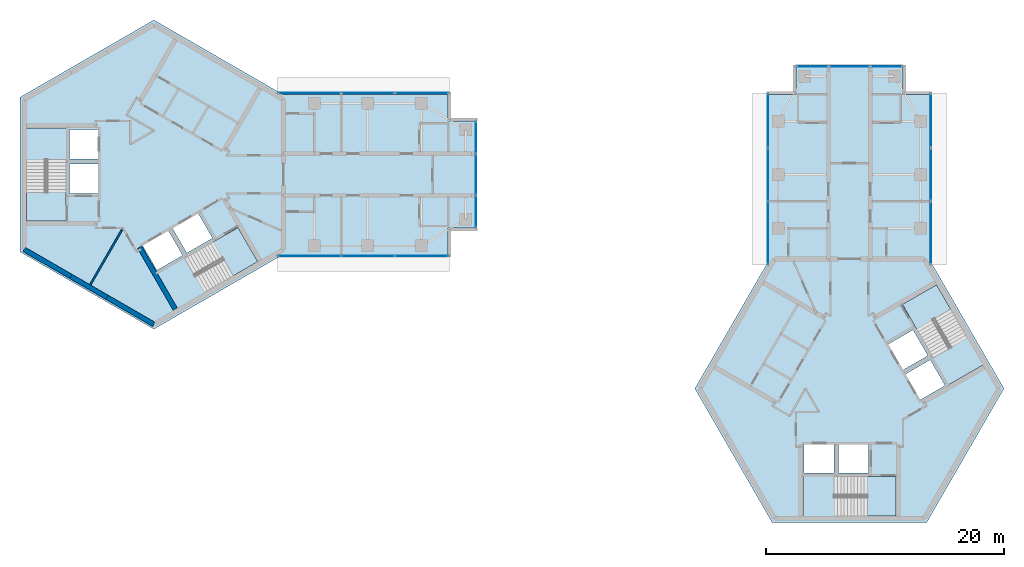
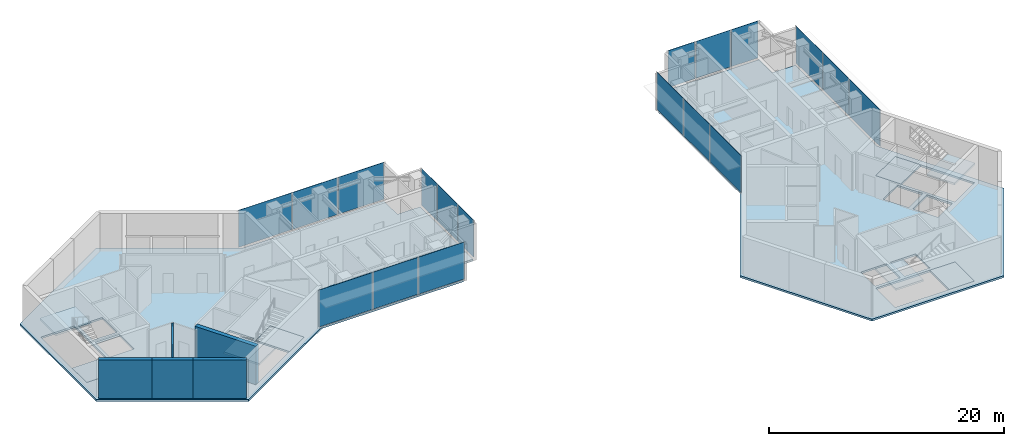
# One storey, part 4 of 11: 18 plates, 10 slabs, 5 walls, 10 elements without a shape of their own.
"""IFC4 building model written with IfcOpenShell, lengths in metres."""

import ifcopenshell
import ifcopenshell.guid

model = None  # the IFC model being written
_history = None  # IfcOwnerHistory: only IFC2X3 demands one
_inside = {}  # id of a spatial element -> (the spatial element, [elements in it])
_under = {}  # id of a project, library or spatial element -> (it, [spatial elements below it])
_declared = {}  # id of a project -> (the project, [libraries it declares])
_typed = {}  # id of a type object -> (the type object, [elements of that type])
_made_of = {}  # id of a material, layer set ... -> (it, [elements and type objects made of it])


def new_model(schema):
    """Start an empty IFC model of exactly this schema.

    Asked for "IFC4X3", IfcOpenShell would pick the latest addendum, in which some entities
    have other attributes; the version numbers below select the first issue.
    IFC2X3 requires an IfcOwnerHistory on every rooted entity: one is made here for all.
    """
    global model, _history
    if schema == "IFC4X3":
        model = ifcopenshell.file(schema_version=(4, 3, 0, 0))
    else:
        model = ifcopenshell.file(schema=schema)
    _inside.clear()
    _under.clear()
    _declared.clear()
    _typed.clear()
    _made_of.clear()
    _history = None
    if model.schema == "IFC2X3":
        org = make("IfcOrganization", Name="unknown")
        user = make(
            "IfcPersonAndOrganization",
            ThePerson=make("IfcPerson", FamilyName="unknown"),
            TheOrganization=org,
        )
        app = make(
            "IfcApplication",
            ApplicationDeveloper=org,
            Version="unknown",
            ApplicationFullName="unknown",
            ApplicationIdentifier="unknown",
        )
        _history = make(
            "IfcOwnerHistory",
            OwningUser=user,
            OwningApplication=app,
            ChangeAction="ADDED",
            CreationDate=0,
        )
    return model


def make(cls, **values):
    """One entity of the class cls with the attributes given. An attribute that is None is left unset."""
    return model.create_entity(
        cls, **{name: value for name, value in values.items() if value is not None}
    )


def rooted(cls, **values):
    """An entity with a GlobalId (a new one), such as an element, a storey or a relation."""
    return make(cls, GlobalId=ifcopenshell.guid.new(), OwnerHistory=_history, **values)


def si_unit(unit_type, name, prefix=None):
    """IfcSIUnit, for example si_unit("LENGTHUNIT", "METRE", prefix="MILLI")."""
    return make("IfcSIUnit", UnitType=unit_type, Prefix=prefix, Name=name)


def assignment(units):
    """IfcUnitAssignment: the units of a project."""
    return None if units is None else make("IfcUnitAssignment", Units=units)


def point(xyz):
    """IfcCartesianPoint."""
    return None if xyz is None else make("IfcCartesianPoint", Coordinates=xyz)


def direction(xyz):
    """IfcDirection."""
    return None if xyz is None else make("IfcDirection", DirectionRatios=xyz)


def frame(location, z_axis=None, x_axis=None):
    """IfcAxis2Placement3D, a coordinate frame: its origin and axes. An axis left out is left unset."""
    return make(
        "IfcAxis2Placement3D",
        Location=point(location),
        Axis=direction(z_axis),
        RefDirection=direction(x_axis),
    )


def frame_2d(location, x_axis=None):
    """IfcAxis2Placement2D, a coordinate frame in the plane: its origin and x axis."""
    return make(
        "IfcAxis2Placement2D", Location=point(location), RefDirection=direction(x_axis)
    )


def origin():
    """The frame at (0, 0, 0) with its axes left unset."""
    return frame((0.0, 0.0, 0.0))


def origin_2d():
    """The frame at (0, 0) in the plane with its x axis left unset."""
    return frame_2d((0.0, 0.0))


def place(relative_to, where):
    """IfcLocalPlacement: puts the frame where relative to a parent placement (None: the world)."""
    return make(
        "IfcLocalPlacement", PlacementRelTo=relative_to, RelativePlacement=where
    )


def context(
    kind, dimensions, precision=None, world=None, true_north=None, identifier=None
):
    """IfcGeometricRepresentationContext, for example the 3D "Model" context."""
    return make(
        "IfcGeometricRepresentationContext",
        ContextIdentifier=identifier,
        ContextType=kind,
        CoordinateSpaceDimension=dimensions,
        Precision=precision,
        WorldCoordinateSystem=world,
        TrueNorth=true_north,
    )


def subcontext(parent, identifier, kind, view, scale=None):
    """IfcGeometricRepresentationSubContext, for example "Body" below "Model"."""
    return make(
        "IfcGeometricRepresentationSubContext",
        ContextIdentifier=identifier,
        ContextType=kind,
        ParentContext=parent,
        TargetScale=scale,
        TargetView=view,
    )


def project(units=None, contexts=None):
    """IfcProject with its units and contexts."""
    return rooted(
        "IfcProject",
        Name="project",
        RepresentationContexts=contexts,
        UnitsInContext=assignment(units),
    )


def spatial(cls, under=None, at=None, **own):
    """A site, building, storey or space (cls), placed at a placement, below another one or the project."""
    s = rooted(cls, ObjectPlacement=at, **own)
    if under is not None:
        _under.setdefault(under.id(), (under, []))[1].append(s)
    return s


def polyline(points):
    """IfcPolyline through the points."""
    return make("IfcPolyline", Points=[point(p) for p in points])


def profile(cls, at=None, kind="AREA", **sizes):
    """A parametric profile (cls). Its sizes go by their IFC names, for example OverallWidth=200.0."""
    return make(cls, ProfileType=kind, Position=at, **sizes)


def rectangle(**sizes):
    """IfcRectangleProfileDef."""
    return profile("IfcRectangleProfileDef", **sizes)


def outline(outer, holes=None, kind="AREA"):
    """IfcArbitraryClosedProfileDef: a profile drawn as a closed curve; with holes, ...WithVoids."""
    if holes is None:
        return make("IfcArbitraryClosedProfileDef", ProfileType=kind, OuterCurve=outer)
    return make(
        "IfcArbitraryProfileDefWithVoids",
        ProfileType=kind,
        OuterCurve=outer,
        InnerCurves=holes,
    )


def extrude(swept, where, along, depth):
    """IfcExtrudedAreaSolid: the profile swept, set in the frame where, extruded along a direction by depth."""
    return make(
        "IfcExtrudedAreaSolid",
        SweptArea=swept,
        Position=where,
        ExtrudedDirection=direction(along),
        Depth=depth,
    )


def shape(context_of_items, identifier, shape_type, items):
    """IfcShapeRepresentation: the items that make up one representation, for example the "Body"."""
    return make(
        "IfcShapeRepresentation",
        ContextOfItems=context_of_items,
        RepresentationIdentifier=identifier,
        RepresentationType=shape_type,
        Items=items,
    )


def material(Name=None, Category=None):
    """IfcMaterial."""
    return make("IfcMaterial", Name=Name, Category=Category)


def layer(
    of_material, thickness, ventilated=None, Name=None, Category=None, Priority=None
):
    """IfcMaterialLayer: one layer of a wall or slab, of a material (None: an air gap)."""
    return make(
        "IfcMaterialLayer",
        Material=of_material,
        LayerThickness=thickness,
        IsVentilated=ventilated,
        Name=Name,
        Category=Category,
        Priority=Priority,
    )


def layer_set(layers, Name=None):
    """IfcMaterialLayerSet."""
    return make("IfcMaterialLayerSet", MaterialLayers=layers, LayerSetName=Name)


def made_of(thing, what):
    """Note that an element or type object is made of a material, layer set ...; save() writes the relation."""
    if what is not None:
        _made_of.setdefault(what.id(), (what, []))[1].append(thing)
    return thing


def type_object(cls, material=None, **own):
    """A type object (cls), such as IfcWallType, which elements share."""
    return made_of(rooted(cls, **own), material)


def element(
    cls,
    number,
    at=None,
    inside=None,
    cuts=None,
    type_object=None,
    material=None,
    context=None,
    identifier="Body",
    shape_type=None,
    held_by="IfcProductDefinitionShape",
    body=None,
    shapes=None,
    **own,
):
    """One element of the class cls, such as IfcWall. Its Tag is "e" and its number.

    at: its placement. inside: the storey or other place that contains it. cuts: it is an
    opening in that element (IfcRelVoidsElement). A single representation is given by context,
    identifier, shape_type and body (its items); several are given by shapes. held_by: the class
    of the entity that holds the representations. save() writes the other relations.
    """
    e = rooted(cls, Tag="e%d" % number, ObjectPlacement=at, **own)
    if body is not None:
        shapes = [shape(context, identifier, shape_type, body)]
    if shapes is not None:
        e.Representation = make(held_by, Representations=shapes)
    if inside is not None:
        _inside.setdefault(inside.id(), (inside, []))[1].append(e)
    if cuts is not None:
        rooted(
            "IfcRelVoidsElement", RelatingBuildingElement=cuts, RelatedOpeningElement=e
        )
    if type_object is not None:
        _typed.setdefault(type_object.id(), (type_object, []))[1].append(e)
    return made_of(e, material)


def aggregate(whole, parts):
    """IfcRelAggregates: a whole, such as a stair, and the parts it consists of."""
    return rooted("IfcRelAggregates", RelatingObject=whole, RelatedObjects=parts)


def save(model, path):
    """Write the relations noted so far, then the file.

    IfcRelAggregates (storeys below a building ...), IfcRelContainedInSpatialStructure (elements
    in a storey), IfcRelDefinesByType, IfcRelAssociatesMaterial and IfcRelDeclares: one each for
    every whole, place, type object, material and project.
    """
    for whole, parts in _under.values():
        aggregate(whole, parts)
    for where, things in _inside.values():
        rooted(
            "IfcRelContainedInSpatialStructure",
            RelatedElements=things,
            RelatingStructure=where,
        )
    for kind, things in _typed.values():
        rooted("IfcRelDefinesByType", RelatedObjects=things, RelatingType=kind)
    for what, things in _made_of.values():
        rooted("IfcRelAssociatesMaterial", RelatedObjects=things, RelatingMaterial=what)
    for by, libraries in _declared.values():
        rooted("IfcRelDeclares", RelatingContext=by, RelatedDefinitions=libraries)
    model.write(path)


model = new_model("IFC4")

# Units and contexts
model_context = context("Model", 3, precision=1e-05, world=origin(), true_north=direction((0.0, 1.0)))
body_context = subcontext(model_context, "Body", "Model", "MODEL_VIEW")
ifc_project = project(units=[si_unit("LENGTHUNIT", "METRE"), si_unit("AREAUNIT", "SQUARE_METRE"), si_unit("VOLUMEUNIT", "CUBIC_METRE"), si_unit("PLANEANGLEUNIT", "RADIAN"), si_unit("MASSUNIT", "GRAM", prefix="KILO")], contexts=[model_context])

# Site, building, storey
site_placement = place(None, origin())
site = spatial("IfcSite", under=ifc_project, at=site_placement, CompositionType="ELEMENT")
building_placement = place(site_placement, origin())
building = spatial("IfcBuilding", under=site, at=building_placement, Name="Upepo Twin Towers", CompositionType="ELEMENT")
storey_placement = place(building_placement, frame((0.0, 0.0, 255.5)))
storey = spatial("IfcBuildingStorey", under=building, at=storey_placement, Name="L62", CompositionType="ELEMENT", Elevation=255.5)

# Curtain wall, plates
ifc_material_1 = material(Name="Aluminium and fritted glass", Category="aluminium")
curtain_wall_type = type_object("IfcCurtainWallType", Name="Tower curtain wall TW4, fritted glass", PredefinedType="NOTDEFINED", material=ifc_material_1)
curtain_wall_1_placement = place(storey_placement, origin())
curtain_wall_1 = element("IfcCurtainWall", 1, at=curtain_wall_1_placement, inside=storey, type_object=curtain_wall_type, Name="T1 L62 wing A flank L curtain wall", PredefinedType="NOTDEFINED")
ifc_material_2 = material(Name="Ceramic-fritted laminated glass", Category="glass")
ifc_layer_1 = layer(ifc_material_2, 0.031982421875)
ifc_layer_set_1 = layer_set([ifc_layer_1], Name="Fritted glass panel, 65 per cent dot frit, 32 mm double glazed")
plate_type_1 = type_object("IfcPlateType", Name="Fritted glass panel, 65 per cent dot frit, 32 mm double glazed", PredefinedType="CURTAIN_PANEL", material=ifc_layer_set_1)
plate_1_placement = place(storey_placement, frame((13.084716796875, 6.85009765625, 0.14990234375), z_axis=(0.0, 0.0, 1.0), x_axis=(1.0, 0.0, 0.0)))
plate_1 = element("IfcPlate", 2, at=plate_1_placement, type_object=plate_type_1, Name="T1 L62 wing A flank L curtain wall panel 1", PredefinedType="CURTAIN_PANEL", context=body_context, shape_type="SweptSolid", body=[
    extrude(rectangle(XDim=5.265380859375, YDim=0.031982421875, at=origin_2d()), origin(), (0.0, 0.0, 1.0), 3.85009765625),
])
plate_2_placement = place(storey_placement, frame((18.0, 6.85009765625, 0.14990234375), z_axis=(0.0, 0.0, 1.0), x_axis=(1.0, 0.0, 0.0)))
plate_2 = element("IfcPlate", 3, at=plate_2_placement, type_object=plate_type_1, Name="T1 L62 wing A flank L curtain wall panel 2", PredefinedType="CURTAIN_PANEL", context=body_context, shape_type="SweptSolid", body=[
    extrude(rectangle(XDim=4.43505859375, YDim=0.031982421875, at=origin_2d()), origin(), (0.0, 0.0, 1.0), 3.85009765625),
])
plate_3_placement = place(storey_placement, frame((22.53369140625, 6.85009765625, 0.14990234375), z_axis=(0.0, 0.0, 1.0), x_axis=(1.0, 0.0, 0.0)))
plate_3 = element("IfcPlate", 4, at=plate_3_placement, type_object=plate_type_1, Name="T1 L62 wing A flank L curtain wall panel 3", PredefinedType="CURTAIN_PANEL", context=body_context, shape_type="SweptSolid", body=[
    extrude(rectangle(XDim=4.50244140625, YDim=0.031982421875, at=origin_2d()), origin(), (0.0, 0.0, 1.0), 3.85009765625),
])
aggregate(curtain_wall_1, [plate_1, plate_2, plate_3])

curtain_wall_2_placement = place(storey_placement, origin())
curtain_wall_2 = element("IfcCurtainWall", 5, at=curtain_wall_2_placement, inside=storey, type_object=curtain_wall_type, Name="T1 L62 wing A flank R curtain wall", PredefinedType="NOTDEFINED")
plate_4_placement = place(storey_placement, frame((22.53369140625, -6.85009765625, 0.14990234375), z_axis=(0.0, 0.0, 1.0), x_axis=(-1.0, 0.0, 0.0)))
plate_4 = element("IfcPlate", 6, at=plate_4_placement, type_object=plate_type_1, Name="T1 L62 wing A flank R curtain wall panel 1", PredefinedType="CURTAIN_PANEL", context=body_context, shape_type="SweptSolid", body=[
    extrude(rectangle(XDim=4.50244140625, YDim=0.031982421875, at=origin_2d()), origin(), (0.0, 0.0, 1.0), 3.85009765625),
])
plate_5_placement = place(storey_placement, frame((18.0, -6.85009765625, 0.14990234375), z_axis=(0.0, 0.0, 1.0), x_axis=(-1.0, 0.0, 0.0)))
plate_5 = element("IfcPlate", 7, at=plate_5_placement, type_object=plate_type_1, Name="T1 L62 wing A flank R curtain wall panel 2", PredefinedType="CURTAIN_PANEL", context=body_context, shape_type="SweptSolid", body=[
    extrude(rectangle(XDim=4.43505859375, YDim=0.031982421875, at=origin_2d()), origin(), (0.0, 0.0, 1.0), 3.85009765625),
])
plate_6_placement = place(storey_placement, frame((13.084716796875, -6.85009765625, 0.14990234375), z_axis=(0.0, 0.0, 1.0), x_axis=(-1.0, 0.0, 0.0)))
plate_6 = element("IfcPlate", 8, at=plate_6_placement, type_object=plate_type_1, Name="T1 L62 wing A flank R curtain wall panel 3", PredefinedType="CURTAIN_PANEL", context=body_context, shape_type="SweptSolid", body=[
    extrude(rectangle(XDim=5.265380859375, YDim=0.031982421875, at=origin_2d()), origin(), (0.0, 0.0, 1.0), 3.85009765625),
])
aggregate(curtain_wall_2, [plate_4, plate_5, plate_6])

# Curtain wall, plate
curtain_wall_3_placement = place(storey_placement, origin())
curtain_wall_3 = element("IfcCurtainWall", 9, at=curtain_wall_3_placement, inside=storey, type_object=curtain_wall_type, Name="T1 L62 wing A nose curtain wall", PredefinedType="NOTDEFINED")
plate_7_placement = place(storey_placement, frame((27.10009765625, 0.0, 0.14990234375), z_axis=(0.0, 0.0, 1.0), x_axis=(0.0, 1.0, 0.0)))
plate_7 = element("IfcPlate", 10, at=plate_7_placement, type_object=plate_type_1, Name="T1 L62 wing A nose curtain wall panel 2", PredefinedType="CURTAIN_PANEL", context=body_context, shape_type="SweptSolid", body=[
    extrude(rectangle(XDim=3.43505859375, YDim=0.031982421875, at=origin_2d()), origin(), (0.0, 0.0, 1.0), 3.85009765625),
])

# Curtain wall, plates
curtain_wall_4_placement = place(storey_placement, origin())
curtain_wall_4 = element("IfcCurtainWall", 11, at=curtain_wall_4_placement, inside=storey, type_object=curtain_wall_type, Name="T2 L62 wing A flank L curtain wall", PredefinedType="NOTDEFINED")
plate_8_placement = place(storey_placement, frame((51.64990234375, -4.915283203125, 0.14990234375), z_axis=(0.0, 0.0, 1.0), x_axis=(0.0, 1.0, 0.0)))
plate_8 = element("IfcPlate", 12, at=plate_8_placement, type_object=plate_type_1, Name="T2 L62 wing A flank L curtain wall panel 1", PredefinedType="CURTAIN_PANEL", context=body_context, shape_type="SweptSolid", body=[
    extrude(rectangle(XDim=5.265380859375, YDim=0.031982421875, at=origin_2d()), origin(), (0.0, 0.0, 1.0), 3.85009765625),
])
plate_9_placement = place(storey_placement, frame((51.64990234375, 0.0, 0.14990234375), z_axis=(0.0, 0.0, 1.0), x_axis=(0.0, 1.0, 0.0)))
plate_9 = element("IfcPlate", 13, at=plate_9_placement, type_object=plate_type_1, Name="T2 L62 wing A flank L curtain wall panel 2", PredefinedType="CURTAIN_PANEL", context=body_context, shape_type="SweptSolid", body=[
    extrude(rectangle(XDim=4.43505859375, YDim=0.031982421875, at=origin_2d()), origin(), (0.0, 0.0, 1.0), 3.85009765625),
])
plate_10_placement = place(storey_placement, frame((51.64990234375, 4.53369140625, 0.14990234375), z_axis=(0.0, 0.0, 1.0), x_axis=(0.0, 1.0, 0.0)))
plate_10 = element("IfcPlate", 14, at=plate_10_placement, type_object=plate_type_1, Name="T2 L62 wing A flank L curtain wall panel 3", PredefinedType="CURTAIN_PANEL", context=body_context, shape_type="SweptSolid", body=[
    extrude(rectangle(XDim=4.50244140625, YDim=0.031982421875, at=origin_2d()), origin(), (0.0, 0.0, 1.0), 3.85009765625),
])
aggregate(curtain_wall_4, [plate_8, plate_9, plate_10])

curtain_wall_5_placement = place(storey_placement, origin())
curtain_wall_5 = element("IfcCurtainWall", 15, at=curtain_wall_5_placement, inside=storey, type_object=curtain_wall_type, Name="T2 L62 wing A flank R curtain wall", PredefinedType="NOTDEFINED")
plate_11_placement = place(storey_placement, frame((65.35009765625, 4.53369140625, 0.14990234375), z_axis=(0.0, 0.0, 1.0), x_axis=(0.0, -1.0, 0.0)))
plate_11 = element("IfcPlate", 16, at=plate_11_placement, type_object=plate_type_1, Name="T2 L62 wing A flank R curtain wall panel 1", PredefinedType="CURTAIN_PANEL", context=body_context, shape_type="SweptSolid", body=[
    extrude(rectangle(XDim=4.50244140625, YDim=0.031982421875, at=origin_2d()), origin(), (0.0, 0.0, 1.0), 3.85009765625),
])
plate_12_placement = place(storey_placement, frame((65.35009765625, 0.0, 0.14990234375), z_axis=(0.0, 0.0, 1.0), x_axis=(0.0, -1.0, 0.0)))
plate_12 = element("IfcPlate", 17, at=plate_12_placement, type_object=plate_type_1, Name="T2 L62 wing A flank R curtain wall panel 2", PredefinedType="CURTAIN_PANEL", context=body_context, shape_type="SweptSolid", body=[
    extrude(rectangle(XDim=4.43505859375, YDim=0.031982421875, at=origin_2d()), origin(), (0.0, 0.0, 1.0), 3.85009765625),
])
plate_13_placement = place(storey_placement, frame((65.35009765625, -4.915283203125, 0.14990234375), z_axis=(0.0, 0.0, 1.0), x_axis=(0.0, -1.0, 0.0)))
plate_13 = element("IfcPlate", 18, at=plate_13_placement, type_object=plate_type_1, Name="T2 L62 wing A flank R curtain wall panel 3", PredefinedType="CURTAIN_PANEL", context=body_context, shape_type="SweptSolid", body=[
    extrude(rectangle(XDim=5.265380859375, YDim=0.031982421875, at=origin_2d()), origin(), (0.0, 0.0, 1.0), 3.85009765625),
])
aggregate(curtain_wall_5, [plate_11, plate_12, plate_13])

# Curtain wall, plate
curtain_wall_6_placement = place(storey_placement, origin())
curtain_wall_6 = element("IfcCurtainWall", 19, at=curtain_wall_6_placement, inside=storey, type_object=curtain_wall_type, Name="T2 L62 wing A nose curtain wall", PredefinedType="NOTDEFINED")
plate_14_placement = place(storey_placement, frame((58.5, 9.10009765625, 0.14990234375), z_axis=(0.0, 0.0, 1.0), x_axis=(-1.0, 0.0, 0.0)))
plate_14 = element("IfcPlate", 20, at=plate_14_placement, type_object=plate_type_1, Name="T2 L62 wing A nose curtain wall panel 2", PredefinedType="CURTAIN_PANEL", context=body_context, shape_type="SweptSolid", body=[
    extrude(rectangle(XDim=3.43505859375, YDim=0.031982421875, at=origin_2d()), origin(), (0.0, 0.0, 1.0), 3.85009765625),
])

# Plate
ifc_material_3 = material(Name="Clear laminated glass in opening sash", Category="glass")
ifc_layer_2 = layer(ifc_material_3, 0.031982421875)
ifc_layer_set_2 = layer_set([ifc_layer_2], Name="Operable glass panel, 32 mm double glazed")
plate_type_2 = type_object("IfcPlateType", Name="Operable glass panel, 32 mm double glazed", PredefinedType="CURTAIN_PANEL", material=ifc_layer_set_2)
plate_15_placement = place(storey_placement, frame((27.10009765625, -3.108642578125, 0.14990234375), z_axis=(0.0, 0.0, 1.0), x_axis=(0.0, 1.0, 0.0)))
plate_15 = element("IfcPlate", 21, at=plate_15_placement, type_object=plate_type_2, Name="T1 L62 wing A nose curtain wall panel 1", PredefinedType="CURTAIN_PANEL", context=body_context, shape_type="SweptSolid", body=[
    extrude(rectangle(XDim=2.652587890625, YDim=0.031982421875, at=origin_2d()), origin(), (0.0, 0.0, 1.0), 3.85009765625),
])

plate_16_placement = place(storey_placement, frame((27.10009765625, 3.108642578125, 0.14990234375), z_axis=(0.0, 0.0, 1.0), x_axis=(0.0, 1.0, 0.0)))
plate_16 = element("IfcPlate", 22, at=plate_16_placement, type_object=plate_type_2, Name="T1 L62 wing A nose curtain wall panel 3", PredefinedType="CURTAIN_PANEL", context=body_context, shape_type="SweptSolid", body=[
    extrude(rectangle(XDim=2.652587890625, YDim=0.031982421875, at=origin_2d()), origin(), (0.0, 0.0, 1.0), 3.85009765625),
])

aggregate(curtain_wall_3, [plate_15, plate_7, plate_16])

plate_17_placement = place(storey_placement, frame((61.608642578125, 9.10009765625, 0.14990234375), z_axis=(0.0, 0.0, 1.0), x_axis=(-1.0, 0.0, 0.0)))
plate_17 = element("IfcPlate", 23, at=plate_17_placement, type_object=plate_type_2, Name="T2 L62 wing A nose curtain wall panel 1", PredefinedType="CURTAIN_PANEL", context=body_context, shape_type="SweptSolid", body=[
    extrude(rectangle(XDim=2.652587890625, YDim=0.031982421875, at=origin_2d()), origin(), (0.0, 0.0, 1.0), 3.85009765625),
])

plate_18_placement = place(storey_placement, frame((55.391357421875, 9.10009765625, 0.14990234375), z_axis=(0.0, 0.0, 1.0), x_axis=(-1.0, 0.0, 0.0)))
plate_18 = element("IfcPlate", 24, at=plate_18_placement, type_object=plate_type_2, Name="T2 L62 wing A nose curtain wall panel 3", PredefinedType="CURTAIN_PANEL", context=body_context, shape_type="SweptSolid", body=[
    extrude(rectangle(XDim=2.652587890625, YDim=0.031982421875, at=origin_2d()), origin(), (0.0, 0.0, 1.0), 3.85009765625),
])

aggregate(curtain_wall_6, [plate_17, plate_14, plate_18])

# Stair, slabs
ifc_material_4 = material(Name="Concrete C40/50", Category="concrete")
stair_type = type_object("IfcStairType", Name="Core stair, two flights", PredefinedType="HALF_TURN_STAIR", material=ifc_material_4)
stair_1_placement = place(storey_placement, origin())
stair_1 = element("IfcStair", 25, at=stair_1_placement, inside=storey, type_object=stair_type, Name="T1 stair S1 L62", PredefinedType="HALF_TURN_STAIR")
ifc_material_5 = material(Name="Concrete C40/50", Category="concrete")
ifc_layer_3 = layer(ifc_material_5, 0.199951171875)
ifc_layer_set_3 = layer_set([ifc_layer_3], Name="Concrete C40/50")
slab_type_1 = type_object("IfcSlabType", Name="Stair landing 200 RC", PredefinedType="LANDING", material=ifc_layer_set_3)
slab_1_placement = place(storey_placement, frame((0.0, 0.0, -0.199951171875)))
slab_1 = element("IfcSlab", 26, at=slab_1_placement, type_object=slab_type_1, Name="Stair S1 landing 1", PredefinedType="LANDING", context=body_context, shape_type="SweptSolid", body=[
    extrude(outline(polyline([(-7.39990234375, -1.419921875), (-10.708251953125, -1.419921875), (-10.708251953125, -3.89990234375), (-7.39990234375, -3.89990234375), (-7.39990234375, -1.419921875)])), origin(), (0.0, 0.0, 1.0), 0.199951171875),
])
slab_2_placement = place(storey_placement, frame((0.0, 0.0, 1.800048828125)))
slab_2 = element("IfcSlab", 27, at=slab_2_placement, type_object=slab_type_1, Name="Stair S1 landing 2", PredefinedType="LANDING", context=body_context, shape_type="SweptSolid", body=[
    extrude(outline(polyline([(-7.300048828125, 3.89990234375), (-10.808349609375, 3.89990234375), (-10.808349609375, 1.179931640625), (-7.300048828125, 1.179931640625), (-7.300048828125, 3.89990234375)])), origin(), (0.0, 0.0, 1.0), 0.199951171875),
])
aggregate(stair_1, [slab_1, slab_2])

stair_2_placement = place(storey_placement, origin())
stair_2 = element("IfcStair", 28, at=stair_2_placement, inside=storey, type_object=stair_type, Name="T1 stair S2 L62", PredefinedType="HALF_TURN_STAIR")
slab_3_placement = place(storey_placement, frame((0.0, 0.0, -0.199951171875)))
slab_3 = element("IfcSlab", 29, at=slab_3_placement, type_object=slab_type_1, Name="Stair S2 landing 1", PredefinedType="LANDING", context=body_context, shape_type="SweptSolid", body=[
    extrude(outline(polyline([(4.9296875, -5.698486328125), (6.583984375, -8.563720703125), (8.731689453125, -7.32373046875), (7.077392578125, -4.45849609375), (4.9296875, -5.698486328125)])), origin(), (0.0, 0.0, 1.0), 0.199951171875),
])
slab_4_placement = place(storey_placement, frame((0.0, 0.0, 1.800048828125)))
slab_4 = element("IfcSlab", 30, at=slab_4_placement, type_object=slab_type_1, Name="Stair S2 landing 2", PredefinedType="LANDING", context=body_context, shape_type="SweptSolid", body=[
    extrude(outline(polyline([(0.2724609375, -8.27197265625), (2.026611328125, -11.310302734375), (4.38232421875, -9.9501953125), (2.628173828125, -6.911865234375), (0.2724609375, -8.27197265625)])), origin(), (0.0, 0.0, 1.0), 0.199951171875),
])
aggregate(stair_2, [slab_3, slab_4])

stair_3_placement = place(storey_placement, origin())
stair_3 = element("IfcStair", 31, at=stair_3_placement, inside=storey, type_object=stair_type, Name="T2 stair S1 L62", PredefinedType="HALF_TURN_STAIR")
slab_5_placement = place(storey_placement, frame((0.0, 0.0, -0.199951171875)))
slab_5 = element("IfcSlab", 32, at=slab_5_placement, type_object=slab_type_1, Name="Stair S1 landing 1", PredefinedType="LANDING", context=body_context, shape_type="SweptSolid", body=[
    extrude(outline(polyline([(59.919921875, -25.39990234375), (59.919921875, -28.708251953125), (62.39990234375, -28.708251953125), (62.39990234375, -25.39990234375), (59.919921875, -25.39990234375)])), origin(), (0.0, 0.0, 1.0), 0.199951171875),
])
slab_6_placement = place(storey_placement, frame((0.0, 0.0, 1.800048828125)))
slab_6 = element("IfcSlab", 33, at=slab_6_placement, type_object=slab_type_1, Name="Stair S1 landing 2", PredefinedType="LANDING", context=body_context, shape_type="SweptSolid", body=[
    extrude(outline(polyline([(54.60009765625, -25.300048828125), (54.60009765625, -28.808349609375), (57.320068359375, -28.808349609375), (57.320068359375, -25.300048828125), (54.60009765625, -25.300048828125)])), origin(), (0.0, 0.0, 1.0), 0.199951171875),
])
aggregate(stair_3, [slab_5, slab_6])

stair_4_placement = place(storey_placement, origin())
stair_4 = element("IfcStair", 34, at=stair_4_placement, inside=storey, type_object=stair_type, Name="T2 stair S2 L62", PredefinedType="HALF_TURN_STAIR")
slab_7_placement = place(storey_placement, frame((0.0, 0.0, -0.199951171875)))
slab_7 = element("IfcSlab", 35, at=slab_7_placement, type_object=slab_type_1, Name="Stair S2 landing 1", PredefinedType="LANDING", context=body_context, shape_type="SweptSolid", body=[
    extrude(outline(polyline([(64.198486328125, -13.0703125), (67.063720703125, -11.416015625), (65.82373046875, -9.268310546875), (62.95849609375, -10.922607421875), (64.198486328125, -13.0703125)])), origin(), (0.0, 0.0, 1.0), 0.199951171875),
])
slab_8_placement = place(storey_placement, frame((0.0, 0.0, 1.800048828125)))
slab_8 = element("IfcSlab", 36, at=slab_8_placement, type_object=slab_type_1, Name="Stair S2 landing 2", PredefinedType="LANDING", context=body_context, shape_type="SweptSolid", body=[
    extrude(outline(polyline([(66.77197265625, -17.7275390625), (69.810302734375, -15.973388671875), (68.4501953125, -13.61767578125), (65.411865234375, -15.371826171875), (66.77197265625, -17.7275390625)])), origin(), (0.0, 0.0, 1.0), 0.199951171875),
])
aggregate(stair_4, [slab_7, slab_8])

# Slabs
ifc_material_6 = material(Name="Concrete C40/50", Category="concrete")
ifc_layer_4 = layer(ifc_material_6, 0.199951171875)
ifc_layer_set_4 = layer_set([ifc_layer_4], Name="Concrete C40/50")
slab_type_2 = type_object("IfcSlabType", Name="Tower floor slab 200 RC", PredefinedType="FLOOR", material=ifc_layer_set_4)
slab_9_placement = place(storey_placement, frame((0.0, 0.0, -0.199951171875)))
element("IfcSlab", 37, at=slab_9_placement, inside=storey, type_object=slab_type_2, Name="T1 L62 floor slab", PredefinedType="FLOOR", context=body_context, shape_type="SweptSolid", body=[
    extrude(outline(polyline([(0.0, -13.0), (-11.25830078125, -6.5), (-11.25830078125, 6.5), (0.0, 13.0), (10.825439453125, 6.75), (24.75, 6.75), (24.75, 4.5), (27.0, 4.5), (27.0, -4.5), (24.75, -4.5), (24.75, -6.75), (10.825439453125, -6.75), (0.0, -13.0)]), holes=[polyline([(-4.699951171875, 3.800048828125), (-7.10009765625, 3.800048828125), (-7.10009765625, 1.300048828125), (-4.699951171875, 1.300048828125), (-4.699951171875, 3.800048828125)]), polyline([(-4.699951171875, 0.89990234375), (-7.10009765625, 0.89990234375), (-7.10009765625, -1.60009765625), (-4.699951171875, -1.60009765625), (-4.699951171875, 0.89990234375)]), polyline([(-7.39990234375, 3.89990234375), (-10.708251953125, 3.89990234375), (-10.708251953125, -3.89990234375), (-7.39990234375, -3.89990234375), (-7.39990234375, 3.89990234375)]), polyline([(-0.94091796875, -5.97021484375), (0.259033203125, -8.048828125), (2.424072265625, -6.798828125), (1.22412109375, -4.72021484375), (-0.94091796875, -5.97021484375)]), polyline([(1.570556640625, -4.520263671875), (2.7705078125, -6.598876953125), (4.935546875, -5.348876953125), (3.735595703125, -3.270263671875), (1.570556640625, -4.520263671875)]), polyline([(0.322509765625, -8.358642578125), (1.9765625, -11.2236328125), (8.731689453125, -7.32373046875), (7.077392578125, -4.45849609375), (0.322509765625, -8.358642578125)])]), origin(), (0.0, 0.0, 1.0), 0.199951171875),
])
slab_10_placement = place(storey_placement, frame((0.0, 0.0, -0.199951171875)))
element("IfcSlab", 38, at=slab_10_placement, inside=storey, type_object=slab_type_2, Name="T2 L62 floor slab", PredefinedType="FLOOR", context=body_context, shape_type="SweptSolid", body=[
    extrude(outline(polyline([(71.5, -18.0), (65.0, -29.25830078125), (52.0, -29.25830078125), (45.5, -18.0), (51.75, -7.174560546875), (51.75, 6.75), (54.0, 6.75), (54.0, 9.0), (63.0, 9.0), (63.0, 6.75), (65.25, 6.75), (65.25, -7.174560546875), (71.5, -18.0)]), holes=[polyline([(54.699951171875, -22.699951171875), (54.699951171875, -25.10009765625), (57.199951171875, -25.10009765625), (57.199951171875, -22.699951171875), (54.699951171875, -22.699951171875)]), polyline([(57.60009765625, -22.699951171875), (57.60009765625, -25.10009765625), (60.10009765625, -25.10009765625), (60.10009765625, -22.699951171875), (57.60009765625, -22.699951171875)]), polyline([(54.60009765625, -25.39990234375), (54.60009765625, -28.708251953125), (62.39990234375, -28.708251953125), (62.39990234375, -25.39990234375), (54.60009765625, -25.39990234375)]), polyline([(64.47021484375, -18.94091796875), (66.548828125, -17.740966796875), (65.298828125, -15.575927734375), (63.22021484375, -16.77587890625), (64.47021484375, -18.94091796875)]), polyline([(63.020263671875, -16.429443359375), (65.098876953125, -15.2294921875), (63.848876953125, -13.064453125), (61.770263671875, -14.264404296875), (63.020263671875, -16.429443359375)]), polyline([(66.858642578125, -17.677490234375), (69.7236328125, -16.0234375), (65.82373046875, -9.268310546875), (62.95849609375, -10.922607421875), (66.858642578125, -17.677490234375)])]), origin(), (0.0, 0.0, 1.0), 0.199951171875),
])

# Walls
ifc_material_7 = material(Name="Concrete C60/75", Category="concrete")
ifc_layer_5 = layer(ifc_material_7, 0.39990234375)
ifc_layer_set_5 = layer_set([ifc_layer_5], Name="Concrete C60/75")
wall_type_1 = type_object("IfcWallType", Name="Core wall 400 RC", PredefinedType="SHEAR", material=ifc_layer_set_5)
wall_1_placement = place(storey_placement, frame((-10.908447265625, -6.2978515625, 0.0), z_axis=(0.0, 0.0, 1.0), x_axis=(0.866034513004, -0.499984222037, 0.0)))
element("IfcWall", 39, at=wall_1_placement, inside=storey, type_object=wall_type_1, Name="T1 core wall 240 R", PredefinedType="SHEAR", context=body_context, shape_type="SweptSolid", body=[
    extrude(rectangle(XDim=4.548095703125, YDim=0.39990234375, at=frame_2d((2.27392578125, 0.0))), origin(), (0.0, 0.0, 1.0), 4.0),
])
wall_2_placement = place(storey_placement, frame((-6.9697265625, -8.57177734375, 0.0), z_axis=(0.0, 0.0, 1.0), x_axis=(0.866019471182, -0.500010275428, 0.0)))
element("IfcWall", 40, at=wall_2_placement, inside=storey, type_object=wall_type_1, Name="T1 core wall 240", PredefinedType="SHEAR", context=body_context, shape_type="SweptSolid", body=[
    extrude(rectangle(XDim=3.5, YDim=0.39990234375, at=frame_2d((1.75, 0.0))), origin(), (0.0, 0.0, 1.0), 4.0),
])
wall_3_placement = place(storey_placement, frame((-3.938720703125, -10.32177734375, 0.0), z_axis=(0.0, 0.0, 1.0), x_axis=(0.866011268655, -0.500024481964, 0.0)))
element("IfcWall", 41, at=wall_3_placement, inside=storey, type_object=wall_type_1, Name="T1 core wall 240 L", PredefinedType="SHEAR", context=body_context, shape_type="SweptSolid", body=[
    extrude(rectangle(XDim=4.548095703125, YDim=0.39990234375, at=frame_2d((2.27392578125, 0.0))), origin(), (0.0, 0.0, 1.0), 4.0),
])
ifc_material_8 = material(Name="Concrete C40/50", Category="concrete")
ifc_layer_6 = layer(ifc_material_8, 0.39990234375)
ifc_layer_set_6 = layer_set([ifc_layer_6], Name="Concrete C40/50")
wall_type_2 = type_object("IfcWallType", Name="Shaft wall 400 RC", PredefinedType="SHEAR", material=ifc_layer_set_6)
wall_4_placement = place(storey_placement, frame((-1.20068359375, -6.120361328125, 0.0), z_axis=(0.0, 0.0, 1.0), x_axis=(0.499997979876, -0.866026570101, 0.0)))
element("IfcWall", 42, at=wall_4_placement, inside=storey, type_object=wall_type_2, Name="T1 core W300 side wall S", PredefinedType="SHEAR", context=body_context, shape_type="SweptSolid", body=[
    extrude(rectangle(XDim=6.00830078125, YDim=0.39990234375, at=frame_2d((3.004150390625, 0.0))), origin(), (0.0, 0.0, 1.0), 4.0),
])
ifc_material_9 = material(Name="Gypsum board on steel studs", Category="steel")
ifc_layer_7 = layer(ifc_material_9, 0.14990234375)
ifc_layer_set_7 = layer_set([ifc_layer_7], Name="Teaching partition 150 acoustic")
wall_type_3 = type_object("IfcWallType", Name="Teaching partition 150 acoustic", PredefinedType="PARTITIONING", material=ifc_layer_set_7)
wall_5_placement = place(storey_placement, frame((-2.641357421875, -4.574951171875, 0.0), z_axis=(0.0, 0.0, 1.0), x_axis=(-0.500010688608, -0.866019232626, 0.0)))
element("IfcWall", 43, at=wall_5_placement, inside=storey, type_object=wall_type_3, Name="T1 core room partition 18", PredefinedType="PARTITIONING", context=body_context, shape_type="SweptSolid", body=[
    extrude(rectangle(XDim=5.42578125, YDim=0.14990234375, at=frame_2d((2.712890625, 0.0))), origin(), (0.0, 0.0, 1.0), 3.800048828125),
])

save(model, "model.ifc")
